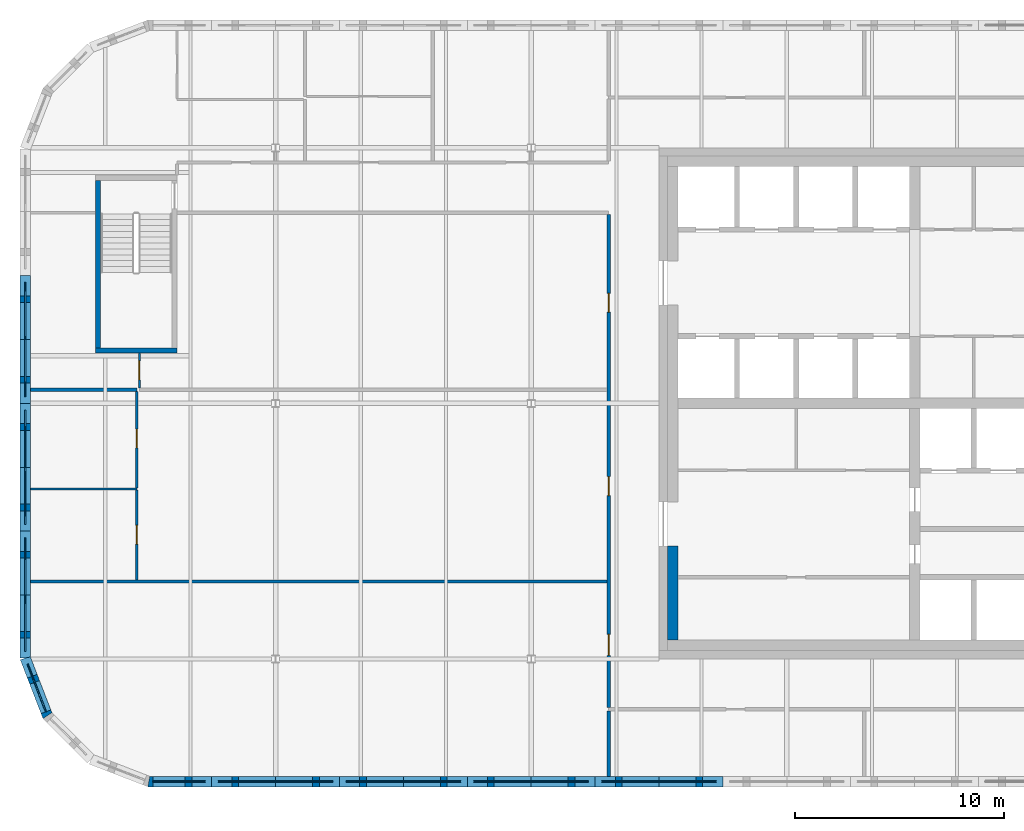
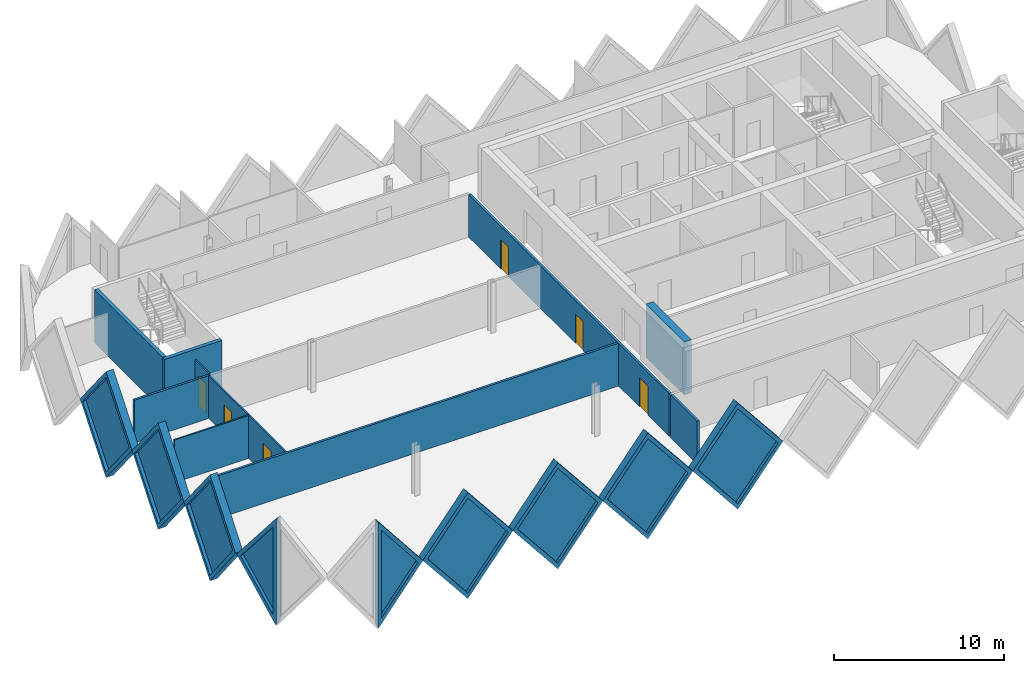
# One storey, part 3 of 10: 20 walls, 9 plates, 6 doors, 15 openings.
"""IFC4 building model written with IfcOpenShell, lengths in metres."""

from ifc_helpers import new_model, si_unit, direction, frame, frame_2d, origin, place, context, subcontext, project, spatial, polyline, rectangle, outline, extrude, faceted_brep, source, transform, mapped, material, layer, layer_set, type_object, element, fill, save


model = new_model("IFC4")

# Units and contexts
model_context = context("Model", 3, precision=1e-05, world=origin(), true_north=direction((0.0, 1.0)))
body_context = subcontext(model_context, "Body", "Model", "MODEL_VIEW")
ifc_project = project(units=[si_unit("LENGTHUNIT", "METRE"), si_unit("AREAUNIT", "SQUARE_METRE"), si_unit("VOLUMEUNIT", "CUBIC_METRE"), si_unit("PLANEANGLEUNIT", "RADIAN"), si_unit("MASSUNIT", "GRAM", prefix="KILO")], contexts=[model_context])

# Site, building, storey
site_placement = place(None, origin())
site = spatial("IfcSite", under=ifc_project, at=site_placement, CompositionType="ELEMENT")
building_placement = place(site_placement, origin())
building = spatial("IfcBuilding", under=site, at=building_placement, Name="Tessera Gate Towers", CompositionType="ELEMENT")
storey_placement = place(building_placement, frame((0.0, 0.0, 252.10009765625)))
storey = spatial("IfcBuildingStorey", under=building, at=storey_placement, Name="L63", CompositionType="ELEMENT", Elevation=252.10009765625)

# Walls
ifc_material_1 = material(Name="Concrete C40/50", Category="concrete")
ifc_layer_1 = layer(ifc_material_1, 0.25)
ifc_layer_set_1 = layer_set([ifc_layer_1], Name="CORE ENCLOSURE WALL 250")
wall_type_1 = type_object("IfcWallType", Name="CORE ENCLOSURE WALL 250", PredefinedType="SOLIDWALL", material=ifc_layer_set_1)
wall_1_placement = place(storey_placement, frame((7.5, 39.125, 0.0), z_axis=(0.0, 0.0, 1.0), x_axis=(-1.0, 0.0, 0.0)))
element("IfcWall", 1, at=wall_1_placement, inside=storey, type_object=wall_type_1, Name="L63 ST3 enclosure wall", PredefinedType="SOLIDWALL", context=body_context, shape_type="SweptSolid", body=[
    extrude(rectangle(XDim=3.89990234375, YDim=0.25, at=frame_2d((1.949951171875, 0.0))), origin(), (0.0, 0.0, 1.0), 3.7998046875),
])
wall_2_placement = place(storey_placement, frame((3.72509765625, 39.25, 0.0), z_axis=(0.0, 0.0, 1.0), x_axis=(0.0, 1.0, 0.0)))
element("IfcWall", 2, at=wall_2_placement, inside=storey, type_object=wall_type_1, Name="L63 ST3 enclosure wall", PredefinedType="SOLIDWALL", context=body_context, shape_type="SweptSolid", body=[
    extrude(rectangle(XDim=8.0, YDim=0.25, at=frame_2d((4.0, 0.0))), origin(), (0.0, 0.0, 1.0), 3.7998046875),
])
ifc_material_2 = material(Name="Concrete C40/50", Category="concrete")
ifc_layer_2 = layer(ifc_material_2, 0.5)
ifc_layer_set_2 = layer_set([ifc_layer_2], Name="CORE WALL THICKENING 500")
wall_type_2 = type_object("IfcWallType", Name="CORE WALL THICKENING 500", PredefinedType="SOLIDWALL", material=ifc_layer_set_2)
wall_3_placement = place(storey_placement, frame((31.14990234375, 25.300048828125, 0.0), z_axis=(0.0, 0.0, 1.0), x_axis=(0.0, 1.0, 0.0)))
element("IfcWall", 3, at=wall_3_placement, inside=storey, type_object=wall_type_2, Name="Core wall thickening W L63", PredefinedType="SOLIDWALL", context=body_context, shape_type="SweptSolid", body=[
    extrude(rectangle(XDim=4.5, YDim=0.5, at=frame_2d((2.25, 0.0))), origin(), (0.0, 0.0, 1.0), 3.7998046875),
])

# Wall, openings, doors
ifc_material_3 = material(Name="Gypsum board on steel studs, mineral wool", Category="steel")
ifc_layer_3 = layer(ifc_material_3, 0.14990234375)
ifc_layer_set_3 = layer_set([ifc_layer_3], Name="CORRIDOR WALL 150")
wall_type_3 = type_object("IfcWallType", Name="CORRIDOR WALL 150", PredefinedType="PARTITIONING", material=ifc_layer_set_3)
wall_4_placement = place(storey_placement, frame((28.10009765625, 22.075927734375, 0.0), z_axis=(0.0, 0.0, 1.0), x_axis=(0.0, 1.0, 0.0)))
wall_4 = element("IfcWall", 4, at=wall_4_placement, inside=storey, type_object=wall_type_3, Name="T1-L63-PW-005", PredefinedType="PARTITIONING", context=body_context, shape_type="SweptSolid", body=[
    extrude(rectangle(XDim=23.548095703125, YDim=0.14990234375, at=frame_2d((11.77392578125, 0.0))), origin(), (0.0, 0.0, 1.0), 3.06689453125),
])
shared_shape_1 = source(origin(), body_context, "Body", "SweptSolid", [
    extrude(rectangle(XDim=1.0, YDim=2.10009765625, at=frame_2d((0.5, 1.050048828125))), frame((0.0, 0.0849609375, 0.0), z_axis=(0.0, -1.0, 0.0), x_axis=(1.0, 0.0, 0.0)), (0.0, 0.0, 1.0), 0.169921875),
])
opening_1_placement = place(wall_4_placement, frame((2.5, 0.0, 0.0)))
opening_1 = element("IfcOpeningElement", 5, at=opening_1_placement, cuts=wall_4, Name="Opening D2100FD60-A22-01", PredefinedType="OPENING", context=body_context, shape_type="MappedRepresentation", body=[
    mapped(shared_shape_1, transform((0.0, 0.0, 0.0), scale=1.0)),
])
shared_shape_2 = source(origin(), body_context, "Body", "SweptSolid", [
    extrude(rectangle(XDim=0.89990234375, YDim=2.10009765625, at=frame_2d((0.449951171875, 1.050048828125))), frame((0.0, 0.0849609375, 0.0), z_axis=(0.0, -1.0, 0.0), x_axis=(1.0, 0.0, 0.0)), (0.0, 0.0, 1.0), 0.169921875),
])
opening_2_placement = place(wall_4_placement, frame((18.875, 0.0, 0.0)))
opening_2 = element("IfcOpeningElement", 6, at=opening_2_placement, cuts=wall_4, Name="Opening D890FD60-A22-03", PredefinedType="OPENING", context=body_context, shape_type="MappedRepresentation", body=[
    mapped(shared_shape_2, transform((0.0, 0.0, 0.0), scale=1.0)),
])
opening_3_placement = place(wall_4_placement, frame((10.1240234375, 0.0, 0.0)))
opening_3 = element("IfcOpeningElement", 7, at=opening_3_placement, cuts=wall_4, Name="Opening D890FD60-A22-05", PredefinedType="OPENING", context=body_context, shape_type="MappedRepresentation", body=[
    mapped(shared_shape_2, transform((0.0, 0.0, 0.0), scale=1.0)),
])
ifc_material_4 = material(Name="Timber door leaf in steel frame", Category="steel")
door_type_1 = type_object("IfcDoorType", Name="CORRIDOR DOOR 900 FD60", OperationType="NOTDEFINED", PredefinedType="DOOR", material=ifc_material_4)
shared_shape_3 = source(origin(), body_context, "Body", "SweptSolid", [
    extrude(rectangle(XDim=0.89990234375, YDim=2.10009765625, at=frame_2d((0.449951171875, 1.050048828125))), frame((0.0, 0.02490234375, 0.0), z_axis=(0.0, -1.0, 0.0), x_axis=(1.0, 0.0, 0.0)), (0.0, 0.0, 1.0), 0.050048828125),
])
door_1_placement = place(opening_2_placement, origin())
door_1 = element("IfcDoor", 8, at=door_1_placement, inside=storey, type_object=door_type_1, Name="T1-L63-PD-008", OperationType="SINGLE_SWING_LEFT", OverallHeight=2.10009765625, OverallWidth=0.89990234375, PredefinedType="DOOR", context=body_context, shape_type="MappedRepresentation", body=[
    mapped(shared_shape_3, transform((0.0, 0.0, 0.0), scale=1.0)),
])
fill(opening_2, door_1)
door_2_placement = place(opening_3_placement, origin())
door_2 = element("IfcDoor", 9, at=door_2_placement, inside=storey, type_object=door_type_1, Name="T1-L63-PD-011", OperationType="SINGLE_SWING_LEFT", OverallHeight=2.10009765625, OverallWidth=0.89990234375, PredefinedType="DOOR", context=body_context, shape_type="MappedRepresentation", body=[
    mapped(shared_shape_3, transform((0.0, 0.0, 0.0), scale=1.0)),
])
fill(opening_3, door_2)
ifc_material_5 = material(Name="Timber door leaf in steel frame", Category="steel")
door_type_2 = type_object("IfcDoorType", Name="TENANCY ENTRANCE DOOR 1000 FD60", OperationType="NOTDEFINED", PredefinedType="DOOR", material=ifc_material_5)
shared_shape_4 = source(origin(), body_context, "Body", "SweptSolid", [
    extrude(rectangle(XDim=1.0, YDim=2.10009765625, at=frame_2d((0.5, 1.050048828125))), frame((0.0, 0.02490234375, 0.0), z_axis=(0.0, -1.0, 0.0), x_axis=(1.0, 0.0, 0.0)), (0.0, 0.0, 1.0), 0.050048828125),
])
door_3_placement = place(opening_1_placement, origin())
door_3 = element("IfcDoor", 10, at=door_3_placement, inside=storey, type_object=door_type_2, Name="T1-L63-PD-005", OperationType="SINGLE_SWING_LEFT", OverallHeight=2.10009765625, OverallWidth=1.0, PredefinedType="DOOR", context=body_context, shape_type="MappedRepresentation", body=[
    mapped(shared_shape_4, transform((0.0, 0.0, 0.0), scale=1.0)),
])
fill(opening_1, door_3)

# Wall, opening, door
ifc_material_6 = material(Name="Glass", Category="glass")
ifc_layer_4 = layer(ifc_material_6, 0.10009765625)
ifc_layer_set_4 = layer_set([ifc_layer_4], Name="GLAZED PARTITION 100")
wall_type_4 = type_object("IfcWallType", Name="GLAZED PARTITION 100", PredefinedType="PARTITIONING", material=ifc_layer_set_4)
wall_5_placement = place(storey_placement, frame((5.699951171875, 37.325927734375, 0.0), z_axis=(0.0, 0.0, 1.0), x_axis=(0.0, 1.0, 0.0)))
wall_5 = element("IfcWall", 11, at=wall_5_placement, inside=storey, type_object=wall_type_4, Name="T1-L63-PW-013", PredefinedType="PARTITIONING", context=body_context, shape_type="SweptSolid", body=[
    extrude(rectangle(XDim=1.674072265625, YDim=0.10009765625, at=frame_2d((0.8369140625, 0.0))), origin(), (0.0, 0.0, 1.0), 3.06689453125),
])
shared_shape_5 = source(origin(), body_context, "Body", "SweptSolid", [
    extrude(rectangle(XDim=0.89990234375, YDim=2.10009765625, at=frame_2d((0.449951171875, 1.050048828125))), frame((0.0, 0.06005859375, 0.0), z_axis=(0.0, -1.0, 0.0), x_axis=(1.0, 0.0, 0.0)), (0.0, 0.0, 1.0), 0.1201171875),
])
opening_4_placement = place(wall_5_placement, frame((0.39990234375, 0.0, 0.0)))
opening_4 = element("IfcOpeningElement", 12, at=opening_4_placement, cuts=wall_5, Name="Opening D690-A22-01", PredefinedType="OPENING", context=body_context, shape_type="MappedRepresentation", body=[
    mapped(shared_shape_5, transform((0.0, 0.0, 0.0), scale=1.0)),
])
ifc_material_7 = material(Name="Glass in aluminium frame", Category="aluminium")
door_type_3 = type_object("IfcDoorType", Name="GLAZED DOOR 900 NOT RATED", OperationType="NOTDEFINED", PredefinedType="DOOR", material=ifc_material_7)
door_4_placement = place(opening_4_placement, origin())
door_4 = element("IfcDoor", 13, at=door_4_placement, inside=storey, type_object=door_type_3, Name="T1-L63-PD-001", OperationType="SINGLE_SWING_LEFT", OverallHeight=2.10009765625, OverallWidth=0.89990234375, PredefinedType="DOOR", context=body_context, shape_type="MappedRepresentation", body=[
    mapped(shared_shape_3, transform((0.0, 0.0, 0.0), scale=1.0)),
])
fill(opening_4, door_4)

ifc_material_8 = material(Name="Gypsum board on steel studs", Category="steel")
ifc_layer_5 = layer(ifc_material_8, 0.10009765625)
ifc_layer_set_5 = layer_set([ifc_layer_5], Name="PARTITION 100")
wall_type_5 = type_object("IfcWallType", Name="PARTITION 100", PredefinedType="PARTITIONING", material=ifc_layer_set_5)
wall_6_placement = place(storey_placement, frame((5.574951171875, 28.176025390625, 0.0), z_axis=(0.0, 0.0, 1.0), x_axis=(0.0, 1.0, 0.0)))
wall_6 = element("IfcWall", 14, at=wall_6_placement, inside=storey, type_object=wall_type_5, Name="T1-L63-PW-008", PredefinedType="PARTITIONING", context=body_context, shape_type="SweptSolid", body=[
    extrude(rectangle(XDim=4.293212890625, YDim=0.10009765625, at=frame_2d((2.146484375, 0.0))), origin(), (0.0, 0.0, 1.0), 3.06689453125),
])
opening_5_placement = place(wall_6_placement, frame((1.699951171875, 0.0, 0.0)))
opening_5 = element("IfcOpeningElement", 15, at=opening_5_placement, cuts=wall_6, Name="Opening D190-A22-01", PredefinedType="OPENING", context=body_context, shape_type="MappedRepresentation", body=[
    mapped(shared_shape_5, transform((0.0, 0.0, 0.0), scale=1.0)),
])
ifc_material_9 = material(Name="Timber door leaf in steel frame", Category="steel")
door_type_4 = type_object("IfcDoorType", Name="INTERNAL DOOR 900 NOT RATED", OperationType="NOTDEFINED", PredefinedType="DOOR", material=ifc_material_9)
door_5_placement = place(opening_5_placement, origin())
door_5 = element("IfcDoor", 16, at=door_5_placement, inside=storey, type_object=door_type_4, Name="T1-L63-PD-002", OperationType="SINGLE_SWING_LEFT", OverallHeight=2.10009765625, OverallWidth=0.89990234375, PredefinedType="DOOR", context=body_context, shape_type="MappedRepresentation", body=[
    mapped(shared_shape_3, transform((0.0, 0.0, 0.0), scale=1.0)),
])
fill(opening_5, door_5)

# Wall
wall_7_placement = place(storey_placement, frame((0.5, 32.52001953125, 0.0), z_axis=(0.0, 0.0, 1.0), x_axis=(1.0, 0.0, 0.0)))
element("IfcWall", 17, at=wall_7_placement, inside=storey, type_object=wall_type_5, Name="T1-L63-PW-009", PredefinedType="PARTITIONING", context=body_context, shape_type="SweptSolid", body=[
    extrude(rectangle(XDim=5.074951171875, YDim=0.10009765625, at=frame_2d((2.53759765625, 0.0))), origin(), (0.0, 0.0, 1.0), 3.06689453125),
])

# Wall, opening, door
wall_8_placement = place(storey_placement, frame((5.574951171875, 32.5712890625, 0.0), z_axis=(0.0, 0.0, 1.0), x_axis=(0.0, 1.0, 0.0)))
wall_8 = element("IfcWall", 18, at=wall_8_placement, inside=storey, type_object=wall_type_5, Name="T1-L63-PW-010", PredefinedType="PARTITIONING", context=body_context, shape_type="SweptSolid", body=[
    extrude(rectangle(XDim=4.602783203125, YDim=0.10009765625, at=frame_2d((2.30126953125, 0.0))), origin(), (0.0, 0.0, 1.0), 3.06689453125),
])
opening_6_placement = place(wall_8_placement, frame((1.89990234375, 0.0, 0.0)))
opening_6 = element("IfcOpeningElement", 19, at=opening_6_placement, cuts=wall_8, Name="Opening D190-A22-02", PredefinedType="OPENING", context=body_context, shape_type="MappedRepresentation", body=[
    mapped(shared_shape_5, transform((0.0, 0.0, 0.0), scale=1.0)),
])
door_6_placement = place(opening_6_placement, origin())
door_6 = element("IfcDoor", 20, at=door_6_placement, inside=storey, type_object=door_type_4, Name="T1-L63-PD-003", OperationType="SINGLE_SWING_LEFT", OverallHeight=2.10009765625, OverallWidth=0.89990234375, PredefinedType="DOOR", context=body_context, shape_type="MappedRepresentation", body=[
    mapped(shared_shape_3, transform((0.0, 0.0, 0.0), scale=1.0)),
])
fill(opening_6, door_6)

# Walls
ifc_material_10 = material(Name="Gypsum board on steel studs, mineral wool", Category="steel")
ifc_layer_6 = layer(ifc_material_10, 0.14990234375)
ifc_layer_set_6 = layer_set([ifc_layer_6], Name="TENANCY WALL 150")
wall_type_6 = type_object("IfcWallType", Name="TENANCY WALL 150", PredefinedType="PARTITIONING", material=ifc_layer_set_6)
wall_9_placement = place(storey_placement, frame((28.10009765625, 18.800048828125, 0.0), z_axis=(0.0, 0.0, 1.0), x_axis=(0.0, 1.0, 0.0)))
element("IfcWall", 21, at=wall_9_placement, inside=storey, type_object=wall_type_6, Name="T1-L63-PW-001", PredefinedType="PARTITIONING", context=body_context, shape_type="SweptSolid", body=[
    extrude(rectangle(XDim=3.1240234375, YDim=0.14990234375, at=frame_2d((1.56201171875, 0.0))), origin(), (0.0, 0.0, 1.0), 3.06689453125),
])
wall_10_placement = place(storey_placement, frame((0.5, 28.10009765625, 0.0), z_axis=(0.0, 0.0, 1.0), x_axis=(1.0, 0.0, 0.0)))
element("IfcWall", 22, at=wall_10_placement, inside=storey, type_object=wall_type_6, Name="T1-L63-PW-007", PredefinedType="PARTITIONING", context=body_context, shape_type="SweptSolid", body=[
    extrude(rectangle(XDim=27.52392578125, YDim=0.14990234375, at=frame_2d((13.761962890625, 0.0))), origin(), (0.0, 0.0, 1.0), 3.06689453125),
])
wall_11_placement = place(storey_placement, frame((0.5, 37.25, 0.0), z_axis=(0.0, 0.0, 1.0), x_axis=(1.0, 0.0, 0.0)))
element("IfcWall", 23, at=wall_11_placement, inside=storey, type_object=wall_type_6, Name="T1-L63-PW-011", PredefinedType="PARTITIONING", context=body_context, shape_type="SweptSolid", body=[
    extrude(rectangle(XDim=5.074951171875, YDim=0.14990234375, at=frame_2d((2.53759765625, 0.0))), origin(), (0.0, 0.0, 1.0), 3.06689453125),
])

# Wall, opening, plate
ifc_material_11 = material(Name="Precast concrete C60/75 white", Category="concrete")
ifc_layer_7 = layer(ifc_material_11, 0.5)
ifc_layer_set_7 = layer_set([ifc_layer_7], Name="TS1 tessera")
wall_type_7 = type_object("IfcWallType", Name="TS1 tessera", PredefinedType="SOLIDWALL", material=ifc_layer_set_7)
shared_shape_6 = source(origin(), body_context, "Body", "Brep", [
    faceted_brep([(3.050048828125, -0.25, 0.0), (6.099853515625, -0.25, 3.7998046875), (6.099853515625, -0.25, 3.80029296875), (3.050048828125, -0.25, 7.599853515625), (0.0, -0.25, 3.800048828125), (0.0, 0.25, 3.800048828125), (3.050048828125, 0.25, 7.599853515625), (6.099853515625, 0.25, 3.80029296875), (6.099853515625, 0.25, 3.7998046875), (3.050048828125, 0.25, 0.0)], [[[0, 1, 2, 3, 4]], [[5, 6, 7, 8, 9]], [[9, 8, 1, 0]], [[7, 6, 3, 2]], [[6, 5, 4, 3]], [[5, 9, 0, 4]], [[1, 8, 7, 2]]]),
])
wall_12_placement = place(storey_placement, frame((21.35009765625, 18.550048828125, -3.800048828125), z_axis=(0.0, 0.0, 1.0), x_axis=(1.0, 0.0, 0.0)))
wall_12 = element("IfcWall", 24, at=wall_12_placement, inside=storey, type_object=wall_type_7, Name="Precast tessera T1 TS1-1103", PredefinedType="SOLIDWALL", context=body_context, shape_type="MappedRepresentation", body=[
    mapped(shared_shape_6, transform((0.0, 0.0, 0.0), scale=1.0)),
])
shared_shape_7 = source(origin(), body_context, "Body", "SweptSolid", [
    extrude(outline(polyline([(3.050048828125, 0.3994140625), (5.779541015625, 3.800048828125), (3.050048828125, 7.200439453125), (0.320556640625, 3.800048828125), (3.050048828125, 0.3994140625)])), frame((0.0, 0.260009765625, 0.0), z_axis=(0.0, -1.0, 0.0), x_axis=(1.0, 0.0, 0.0)), (0.0, 0.0, 1.0), 0.52001953125),
])
opening_7_placement = place(wall_12_placement, origin())
opening_7 = element("IfcOpeningElement", 25, at=opening_7_placement, cuts=wall_12, Name="Opening T1-PL2-2237", PredefinedType="OPENING", context=body_context, shape_type="MappedRepresentation", body=[
    mapped(shared_shape_7, transform((0.0, 0.0, 0.0), scale=1.0)),
])
ifc_material_12 = material(Name="Low-e laminated glass", Category="glass")
ifc_layer_8 = layer(ifc_material_12, 0.06005859375)
ifc_layer_set_8 = layer_set([ifc_layer_8], Name="PL2 rhombic pane")
plate_type = type_object("IfcPlateType", Name="PL2 rhombic pane", PredefinedType="SHEET", material=ifc_layer_set_8)
shared_shape_8 = source(origin(), body_context, "Body", "SweptSolid", [
    extrude(outline(polyline([(3.050048828125, 0.3994140625), (5.779541015625, 3.800048828125), (3.050048828125, 7.200439453125), (0.320556640625, 3.800048828125), (3.050048828125, 0.3994140625)])), frame((0.0, 0.030029296875, 0.0), z_axis=(0.0, -1.0, 0.0), x_axis=(1.0, 0.0, 0.0)), (0.0, 0.0, 1.0), 0.06005859375),
])
plate_1_placement = place(opening_7_placement, origin())
plate_1 = element("IfcPlate", 26, at=plate_1_placement, inside=storey, type_object=plate_type, Name="Glass pane T1 PL2-2237", PredefinedType="SHEET", context=body_context, shape_type="MappedRepresentation", body=[
    mapped(shared_shape_8, transform((0.0, 0.0, 0.0), scale=1.0)),
])
fill(opening_7, plate_1)

wall_13_placement = place(storey_placement, frame((0.25, 42.699951171875, -3.800048828125), z_axis=(0.0, 0.0, 1.0), x_axis=(0.0, -1.0, 0.0)))
wall_13 = element("IfcWall", 27, at=wall_13_placement, inside=storey, type_object=wall_type_7, Name="Precast tessera T1 TS1-1120", PredefinedType="SOLIDWALL", context=body_context, shape_type="MappedRepresentation", body=[
    mapped(shared_shape_6, transform((0.0, 0.0, 0.0), scale=1.0)),
])
opening_8_placement = place(wall_13_placement, origin())
opening_8 = element("IfcOpeningElement", 28, at=opening_8_placement, cuts=wall_13, Name="Opening T1-PL2-2266", PredefinedType="OPENING", context=body_context, shape_type="MappedRepresentation", body=[
    mapped(shared_shape_7, transform((0.0, 0.0, 0.0), scale=1.0)),
])
plate_2_placement = place(opening_8_placement, origin())
plate_2 = element("IfcPlate", 29, at=plate_2_placement, inside=storey, type_object=plate_type, Name="Glass pane T1 PL2-2266", PredefinedType="SHEET", context=body_context, shape_type="MappedRepresentation", body=[
    mapped(shared_shape_8, transform((0.0, 0.0, 0.0), scale=1.0)),
])
fill(opening_8, plate_2)

shared_shape_9 = source(origin(), body_context, "Body", "SweptSolid", [
    extrude(outline(polyline([(3.050048828125, 0.0), (6.10009765625, 3.800048828125), (3.050048828125, 7.599853515625), (0.0, 3.800048828125), (3.050048828125, 0.0)])), frame((0.0, 0.25, 0.0), z_axis=(0.0, -1.0, 0.0), x_axis=(1.0, 0.0, 0.0)), (0.0, 0.0, 1.0), 0.5),
])
wall_14_placement = place(storey_placement, frame((9.14990234375, 18.550048828125, -3.800048828125), z_axis=(0.0, 0.0, 1.0), x_axis=(1.0, 0.0, 0.0)))
wall_14 = element("IfcWall", 30, at=wall_14_placement, inside=storey, type_object=wall_type_7, Name="Precast tessera T1 TS1-1101", PredefinedType="SOLIDWALL", context=body_context, shape_type="MappedRepresentation", body=[
    mapped(shared_shape_9, transform((0.0, 0.0, 0.0), scale=1.0)),
])
opening_9_placement = place(wall_14_placement, origin())
opening_9 = element("IfcOpeningElement", 31, at=opening_9_placement, cuts=wall_14, Name="Opening T1-PL2-2235", PredefinedType="OPENING", context=body_context, shape_type="MappedRepresentation", body=[
    mapped(shared_shape_7, transform((0.0, 0.0, 0.0), scale=1.0)),
])
plate_3_placement = place(opening_9_placement, origin())
plate_3 = element("IfcPlate", 32, at=plate_3_placement, inside=storey, type_object=plate_type, Name="Glass pane T1 PL2-2235", PredefinedType="SHEET", context=body_context, shape_type="MappedRepresentation", body=[
    mapped(shared_shape_8, transform((0.0, 0.0, 0.0), scale=1.0)),
])
fill(opening_9, plate_3)

wall_15_placement = place(storey_placement, frame((15.25, 18.550048828125, -3.800048828125), z_axis=(0.0, 0.0, 1.0), x_axis=(1.0, 0.0, 0.0)))
wall_15 = element("IfcWall", 33, at=wall_15_placement, inside=storey, type_object=wall_type_7, Name="Precast tessera T1 TS1-1102", PredefinedType="SOLIDWALL", context=body_context, shape_type="MappedRepresentation", body=[
    mapped(shared_shape_9, transform((0.0, 0.0, 0.0), scale=1.0)),
])
opening_10_placement = place(wall_15_placement, origin())
opening_10 = element("IfcOpeningElement", 34, at=opening_10_placement, cuts=wall_15, Name="Opening T1-PL2-2236", PredefinedType="OPENING", context=body_context, shape_type="MappedRepresentation", body=[
    mapped(shared_shape_7, transform((0.0, 0.0, 0.0), scale=1.0)),
])
plate_4_placement = place(opening_10_placement, origin())
plate_4 = element("IfcPlate", 35, at=plate_4_placement, inside=storey, type_object=plate_type, Name="Glass pane T1 PL2-2236", PredefinedType="SHEET", context=body_context, shape_type="MappedRepresentation", body=[
    mapped(shared_shape_8, transform((0.0, 0.0, 0.0), scale=1.0)),
])
fill(opening_10, plate_4)

wall_16_placement = place(storey_placement, frame((27.449951171875, 18.550048828125, -3.800048828125), z_axis=(0.0, 0.0, 1.0), x_axis=(1.0, 0.0, 0.0)))
wall_16 = element("IfcWall", 36, at=wall_16_placement, inside=storey, type_object=wall_type_7, Name="Precast tessera T1 TS1-1104", PredefinedType="SOLIDWALL", context=body_context, shape_type="MappedRepresentation", body=[
    mapped(shared_shape_9, transform((0.0, 0.0, 0.0), scale=1.0)),
])
opening_11_placement = place(wall_16_placement, origin())
opening_11 = element("IfcOpeningElement", 37, at=opening_11_placement, cuts=wall_16, Name="Opening T1-PL2-2238", PredefinedType="OPENING", context=body_context, shape_type="MappedRepresentation", body=[
    mapped(shared_shape_7, transform((0.0, 0.0, 0.0), scale=1.0)),
])
plate_5_placement = place(opening_11_placement, origin())
plate_5 = element("IfcPlate", 38, at=plate_5_placement, inside=storey, type_object=plate_type, Name="Glass pane T1 PL2-2238", PredefinedType="SHEET", context=body_context, shape_type="MappedRepresentation", body=[
    mapped(shared_shape_8, transform((0.0, 0.0, 0.0), scale=1.0)),
])
fill(opening_11, plate_5)

wall_17_placement = place(storey_placement, frame((0.25, 36.60009765625, -3.800048828125), z_axis=(0.0, 0.0, 1.0), x_axis=(0.0, -1.0, 0.0)))
wall_17 = element("IfcWall", 39, at=wall_17_placement, inside=storey, type_object=wall_type_7, Name="Precast tessera T1 TS1-1121", PredefinedType="SOLIDWALL", context=body_context, shape_type="MappedRepresentation", body=[
    mapped(shared_shape_9, transform((0.0, 0.0, 0.0), scale=1.0)),
])
opening_12_placement = place(wall_17_placement, origin())
opening_12 = element("IfcOpeningElement", 40, at=opening_12_placement, cuts=wall_17, Name="Opening T1-PL2-2267", PredefinedType="OPENING", context=body_context, shape_type="MappedRepresentation", body=[
    mapped(shared_shape_7, transform((0.0, 0.0, 0.0), scale=1.0)),
])
plate_6_placement = place(opening_12_placement, origin())
plate_6 = element("IfcPlate", 41, at=plate_6_placement, inside=storey, type_object=plate_type, Name="Glass pane T1 PL2-2267", PredefinedType="SHEET", context=body_context, shape_type="MappedRepresentation", body=[
    mapped(shared_shape_8, transform((0.0, 0.0, 0.0), scale=1.0)),
])
fill(opening_12, plate_6)

shared_shape_10 = source(origin(), body_context, "Body", "Brep", [
    faceted_brep([(3.050048828125, -0.25, 0.0), (6.053466796875, -0.25, 3.800048828125), (3.050048828125, -0.25, 7.599853515625), (0.0, -0.25, 3.800048828125), (0.0, 0.25, 3.800048828125), (3.050048828125, 0.25, 7.599853515625), (6.0068359375, 0.25, 3.85888671875), (6.0068359375, 0.25, 3.7412109375), (3.050048828125, 0.25, 0.0), (6.053466796875, 0.0, 3.800048828125)], [[[0, 1, 2, 3]], [[4, 5, 6, 7, 8]], [[8, 7, 9, 1, 0]], [[6, 5, 2, 1, 9]], [[5, 4, 3, 2]], [[4, 8, 0, 3]], [[7, 6, 9]]]),
])
wall_18_placement = place(storey_placement, frame((0.25, 30.5, -3.800048828125), z_axis=(0.0, 0.0, 1.0), x_axis=(0.0, -1.0, 0.0)))
wall_18 = element("IfcWall", 42, at=wall_18_placement, inside=storey, type_object=wall_type_7, Name="Precast tessera T1 TS1-1122", PredefinedType="SOLIDWALL", context=body_context, shape_type="MappedRepresentation", body=[
    mapped(shared_shape_10, transform((0.0, 0.0, 0.0), scale=1.0)),
])
shared_shape_11 = source(origin(), body_context, "Body", "SweptSolid", [
    extrude(outline(polyline([(3.048583984375, 0.401123046875), (5.73486328125, 3.800048828125), (3.048583984375, 7.19873046875), (0.320556640625, 3.800048828125), (3.048583984375, 0.401123046875)])), frame((0.0, 0.260009765625, 0.0), z_axis=(0.0, -1.0, 0.0), x_axis=(1.0, 0.0, 0.0)), (0.0, 0.0, 1.0), 0.52001953125),
])
opening_13_placement = place(wall_18_placement, origin())
opening_13 = element("IfcOpeningElement", 43, at=opening_13_placement, cuts=wall_18, Name="Opening T1-PL2-2268", PredefinedType="OPENING", context=body_context, shape_type="MappedRepresentation", body=[
    mapped(shared_shape_11, transform((0.0, 0.0, 0.0), scale=1.0)),
])
shared_shape_12 = source(origin(), body_context, "Body", "SweptSolid", [
    extrude(outline(polyline([(3.048583984375, 0.401123046875), (5.73486328125, 3.800048828125), (3.048583984375, 7.19873046875), (0.320556640625, 3.800048828125), (3.048583984375, 0.401123046875)])), frame((0.0, 0.030029296875, 0.0), z_axis=(0.0, -1.0, 0.0), x_axis=(1.0, 0.0, 0.0)), (0.0, 0.0, 1.0), 0.06005859375),
])
plate_7_placement = place(opening_13_placement, origin())
plate_7 = element("IfcPlate", 44, at=plate_7_placement, inside=storey, type_object=plate_type, Name="Glass pane T1 PL2-2268", PredefinedType="SHEET", context=body_context, shape_type="MappedRepresentation", body=[
    mapped(shared_shape_12, transform((0.0, 0.0, 0.0), scale=1.0)),
])
fill(opening_13, plate_7)

ifc_material_13 = material(Name="Precast concrete C60/75 white", Category="concrete")
ifc_layer_9 = layer(ifc_material_13, 0.5)
ifc_layer_set_9 = layer_set([ifc_layer_9], Name="TS3 corner tessera")
wall_type_8 = type_object("IfcWallType", Name="TS3 corner tessera", PredefinedType="SOLIDWALL", material=ifc_layer_set_9)
shared_shape_13 = source(origin(), body_context, "Body", "Brep", [
    faceted_brep([(0.046630859375, -0.25, 0.0), (3.050048828125, -0.25, 3.800048828125), (0.046630859375, -0.25, 7.599853515625), (0.0, -0.25, 7.539794921875), (0.0, -0.25, 0.06005859375), (0.09326171875, 0.25, 7.541015625), (3.050048828125, 0.25, 3.800048828125), (0.09326171875, 0.25, 0.058837890625), (0.046630859375, 0.0, 0.0), (0.046630859375, 0.0, 7.599853515625)], [[[0, 1, 2, 3, 4]], [[5, 6, 7]], [[7, 6, 1, 0, 8]], [[6, 5, 9, 2, 1]], [[3, 2, 9]], [[8, 0, 4]], [[7, 8, 4, 3, 9, 5]]]),
])
wall_19_placement = place(storey_placement, frame((6.099853515625, 18.550048828125, -3.800048828125), z_axis=(0.0, 0.0, 1.0), x_axis=(1.0, 0.0, 0.0)))
wall_19 = element("IfcWall", 45, at=wall_19_placement, inside=storey, type_object=wall_type_8, Name="Precast corner tessera T1 TS3-1433", PredefinedType="SOLIDWALL", context=body_context, shape_type="MappedRepresentation", body=[
    mapped(shared_shape_13, transform((0.0, 0.0, 0.0), scale=1.0)),
])
shared_shape_14 = source(origin(), body_context, "Body", "SweptSolid", [
    extrude(outline(polyline([(0.24658203125, 0.65625), (2.7314453125, 3.800048828125), (0.24658203125, 6.94384765625), (0.24658203125, 0.65625)])), frame((0.0, 0.260009765625, 0.0), z_axis=(0.0, -1.0, 0.0), x_axis=(1.0, 0.0, 0.0)), (0.0, 0.0, 1.0), 0.52001953125),
])
opening_14_placement = place(wall_19_placement, origin())
opening_14 = element("IfcOpeningElement", 46, at=opening_14_placement, cuts=wall_19, Name="Opening T1-PL2-2233", PredefinedType="OPENING", context=body_context, shape_type="MappedRepresentation", body=[
    mapped(shared_shape_14, transform((0.0, 0.0, 0.0), scale=1.0)),
])
shared_shape_15 = source(origin(), body_context, "Body", "SweptSolid", [
    extrude(outline(polyline([(0.24658203125, 0.65625), (2.7314453125, 3.800048828125), (0.24658203125, 6.94384765625), (0.24658203125, 0.65625)])), frame((0.0, 0.030029296875, 0.0), z_axis=(0.0, -1.0, 0.0), x_axis=(1.0, 0.0, 0.0)), (0.0, 0.0, 1.0), 0.06005859375),
])
plate_8_placement = place(opening_14_placement, origin())
plate_8 = element("IfcPlate", 47, at=plate_8_placement, inside=storey, type_object=plate_type, Name="Glass pane T1 PL2-2233", PredefinedType="SHEET", context=body_context, shape_type="MappedRepresentation", body=[
    mapped(shared_shape_15, transform((0.0, 0.0, 0.0), scale=1.0)),
])
fill(opening_14, plate_8)

shared_shape_16 = source(origin(), body_context, "Body", "Brep", [
    faceted_brep([(2.950439453125, -0.25, 0.0), (3.00341796875, -0.25, 0.068359375), (3.00341796875, -0.25, 7.531494140625), (2.950439453125, -0.25, 7.599853515625), (0.0, -0.25, 3.800048828125), (0.046630859375, 0.25, 3.860107421875), (2.897705078125, 0.25, 7.53173828125), (2.897705078125, 0.25, 0.068115234375), (0.046630859375, 0.25, 3.739990234375), (2.950439453125, 0.00048828125, 0.0), (2.950439453125, 0.00048828125, 7.599853515625), (0.0, 0.0, 3.800048828125)], [[[0, 1, 2, 3, 4]], [[5, 6, 7, 8]], [[1, 0, 9]], [[10, 3, 2]], [[6, 5, 11, 4, 3, 10]], [[8, 7, 9, 0, 4, 11]], [[8, 11, 5]], [[1, 9, 7, 6, 10, 2]]]),
])
wall_20_placement = place(storey_placement, frame((0.25, 24.446533203125, -3.800048828125), z_axis=(0.0, 0.0, 1.0), x_axis=(0.35992665181, -0.932980602862, 0.0)))
wall_20 = element("IfcWall", 48, at=wall_20_placement, inside=storey, type_object=wall_type_8, Name="Precast corner tessera T1 TS3-1447", PredefinedType="SOLIDWALL", context=body_context, shape_type="MappedRepresentation", body=[
    mapped(shared_shape_16, transform((0.0, 0.0, 0.0), scale=1.0)),
])
shared_shape_17 = source(origin(), body_context, "Body", "SweptSolid", [
    extrude(outline(polyline([(2.75048828125, 6.934814453125), (0.31640625, 3.800048828125), (2.75048828125, 0.665283203125), (2.75048828125, 6.934814453125)])), frame((0.0, 0.260009765625, 0.0), z_axis=(0.0, -1.0, 0.0), x_axis=(1.0, 0.0, 0.0)), (0.0, 0.0, 1.0), 0.52001953125),
])
opening_15_placement = place(wall_20_placement, origin())
opening_15 = element("IfcOpeningElement", 49, at=opening_15_placement, cuts=wall_20, Name="Opening T1-PL2-2269", PredefinedType="OPENING", context=body_context, shape_type="MappedRepresentation", body=[
    mapped(shared_shape_17, transform((0.0, 0.0, 0.0), scale=1.0)),
])
shared_shape_18 = source(origin(), body_context, "Body", "SweptSolid", [
    extrude(outline(polyline([(2.75048828125, 6.934814453125), (0.31640625, 3.800048828125), (2.75048828125, 0.665283203125), (2.75048828125, 6.934814453125)])), frame((0.0, 0.030029296875, 0.0), z_axis=(0.0, -1.0, 0.0), x_axis=(1.0, 0.0, 0.0)), (0.0, 0.0, 1.0), 0.06005859375),
])
plate_9_placement = place(opening_15_placement, origin())
plate_9 = element("IfcPlate", 50, at=plate_9_placement, inside=storey, type_object=plate_type, Name="Glass pane T1 PL2-2269", PredefinedType="SHEET", context=body_context, shape_type="MappedRepresentation", body=[
    mapped(shared_shape_18, transform((0.0, 0.0, 0.0), scale=1.0)),
])
fill(opening_15, plate_9)

save(model, "model.ifc")
